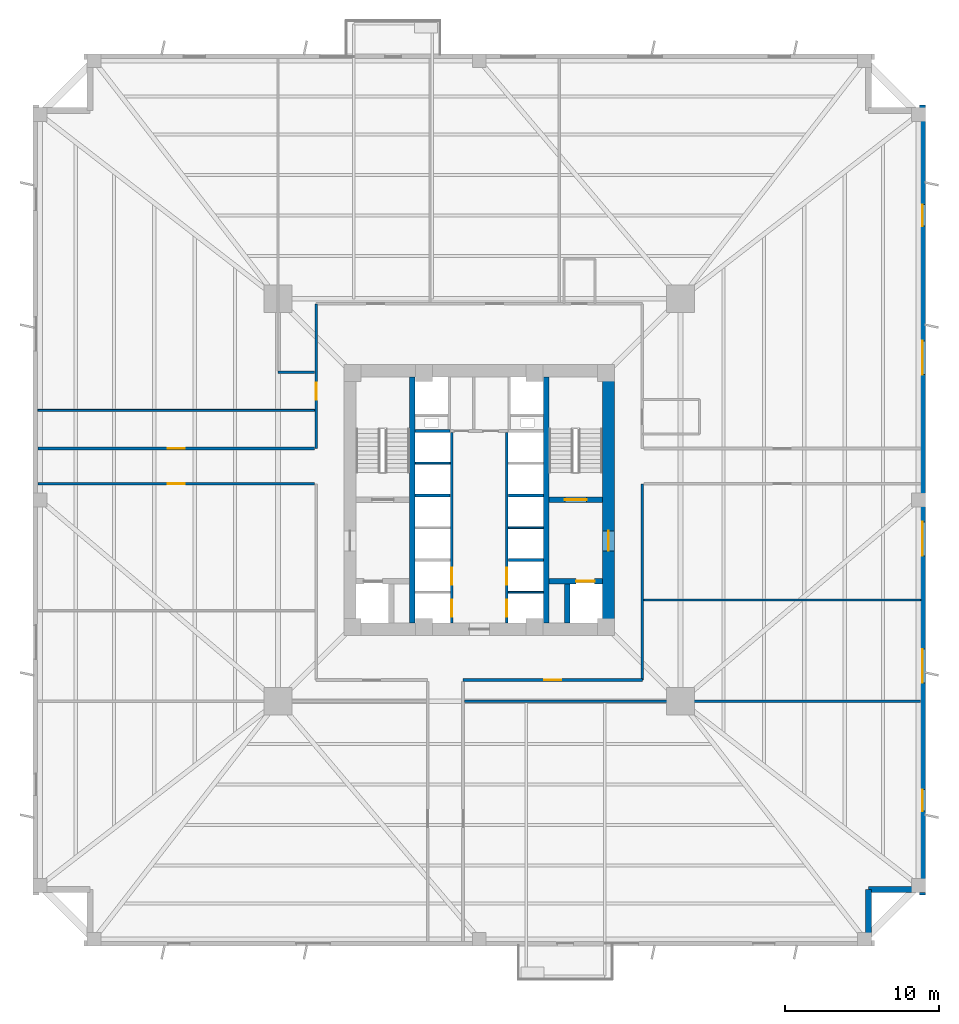
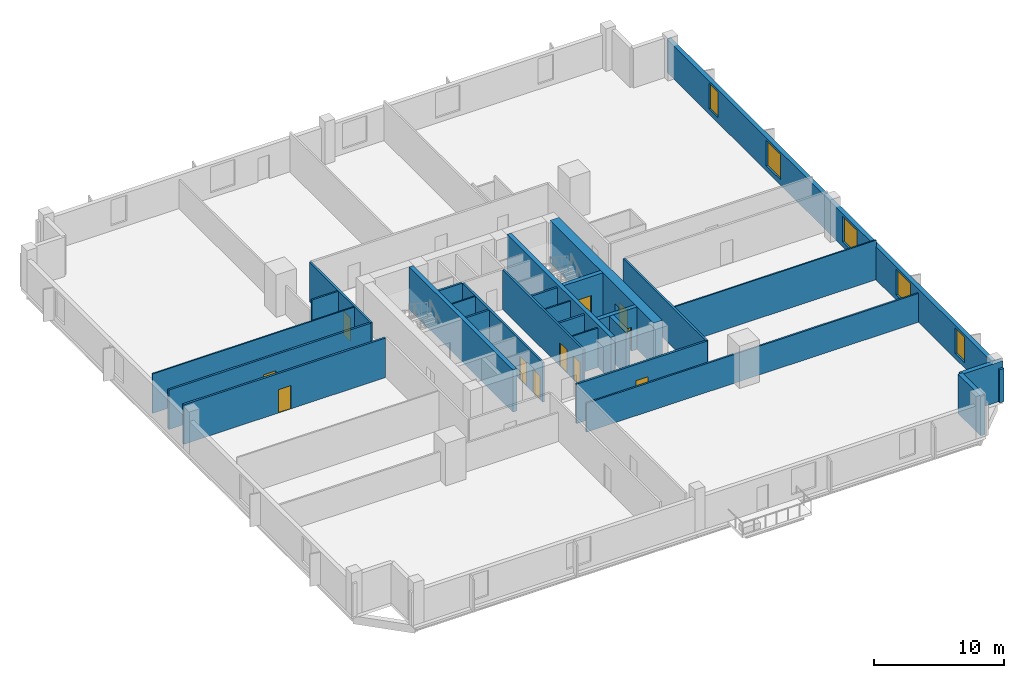
# One storey, part 3 of 8: 27 walls, 11 doors, 5 windows, 16 openings.
"""IFC4 building model written with IfcOpenShell, lengths in metres."""

from ifc_helpers import new_model, si_unit, direction, frame, frame_2d, origin, place, context, subcontext, project, spatial, rectangle, extrude, source, transform, mapped, material, layer, layer_set, type_object, element, fill, save


model = new_model("IFC4")

# Units and contexts
model_context = context("Model", 3, precision=1e-05, world=origin(), true_north=direction((0.0, 1.0)))
body_context = subcontext(model_context, "Body", "Model", "MODEL_VIEW")
ifc_project = project(units=[si_unit("LENGTHUNIT", "METRE"), si_unit("AREAUNIT", "SQUARE_METRE"), si_unit("VOLUMEUNIT", "CUBIC_METRE"), si_unit("PLANEANGLEUNIT", "RADIAN"), si_unit("MASSUNIT", "GRAM", prefix="KILO"), si_unit("THERMODYNAMICTEMPERATUREUNIT", "KELVIN")], contexts=[model_context])

# Site, building, storey
site_placement = place(None, origin())
site = spatial("IfcSite", under=ifc_project, at=site_placement, CompositionType="ELEMENT")
building_placement = place(site_placement, origin())
building = spatial("IfcBuilding", under=site, at=building_placement, Name="Kosmvard Interchange Tower", CompositionType="ELEMENT")
storey_placement = place(building_placement, frame((0.0, 0.0, 62.0)))
storey = spatial("IfcBuildingStorey", under=building, at=storey_placement, Name="L14", CompositionType="ELEMENT", Elevation=62.0)

# Walls
ifc_material_1 = material(Name="Acoustic gypsum partition system")
ifc_layer_1 = layer(ifc_material_1, 0.14990234375, Name="Acoustic gypsum partition system")
ifc_layer_set_1 = layer_set([ifc_layer_1], Name="Acoustic gypsum partition system")
wall_type_1 = type_object("IfcWallType", Name="Acoustic Suite & Meeting Partition 150", PredefinedType="PARTITIONING", material=ifc_layer_set_1)
wall_1_placement = place(storey_placement, frame((-10.695068359375, 8.300048828125, 0.0), z_axis=(0.0, 0.0, 1.0), x_axis=(-1.0, 0.0, 0.0)))
element("IfcWall", 1, at=wall_1_placement, inside=storey, type_object=wall_type_1, Name="L14 Room Partition 01.1", PredefinedType="PARTITIONING", context=body_context, shape_type="SweptSolid", body=[
    extrude(rectangle(XDim=2.385986328125, YDim=0.14990234375, at=frame_2d((1.19287109375, 0.0))), origin(), (0.0, 0.0, 1.0), 3.719970703125),
])
wall_2_placement = place(storey_placement, frame((-0.955078125, -13.0810546875, 0.0), z_axis=(0.0, 0.0, 1.0), x_axis=(1.0, 0.0, 0.0)))
element("IfcWall", 2, at=wall_2_placement, inside=storey, type_object=wall_type_1, Name="L14 Room Partition 06.1", PredefinedType="PARTITIONING", context=body_context, shape_type="SweptSolid", body=[
    extrude(rectangle(XDim=29.64013671875, YDim=0.14990234375, at=frame_2d((14.820068359375, 0.0))), origin(), (0.0, 0.0, 1.0), 2.7119140625),
])

# Wall, openings, doors
ifc_material_2 = material(Name="Fire-rated gypsum partition system")
ifc_layer_2 = layer(ifc_material_2, 0.179931640625, Name="Fire-rated gypsum partition system")
ifc_layer_set_2 = layer_set([ifc_layer_2], Name="Fire-rated gypsum partition system")
wall_type_2 = type_object("IfcWallType", Name="Corridor & Hotel Compartment Partition 180", PredefinedType="PARTITIONING", material=ifc_layer_set_2)
wall_3_placement = place(storey_placement, frame((-1.7900390625, -7.97998046875, 0.0), z_axis=(0.0, 0.0, 1.0), x_axis=(0.0, 1.0, 0.0)))
wall_3 = element("IfcWall", 3, at=wall_3_placement, inside=storey, type_object=wall_type_2, Name="L14 West Lift Bank Front Wall", PredefinedType="PARTITIONING", context=body_context, shape_type="SweptSolid", body=[
    extrude(rectangle(XDim=12.3798828125, YDim=0.179931640625, at=frame_2d((6.18994140625, 0.0))), origin(), (0.0, 0.0, 1.0), 3.719970703125),
])
opening_1_placement = place(wall_3_placement, frame((0.39990234375, 0.0, 0.0)))
opening_1 = element("IfcOpeningElement", 4, at=opening_1_placement, cuts=wall_3, Name="Opening LD-PL-L1-L14", PredefinedType="OPENING", context=body_context, shape_type="SweptSolid", body=[
    extrude(rectangle(XDim=1.10009765625, YDim=2.199951171875, at=frame_2d((0.550048828125, 1.10009765625))), frame((0.0, 0.10009765625, 0.0), z_axis=(0.0, -1.0, 0.0), x_axis=(1.0, 0.0, 0.0)), (0.0, 0.0, 1.0), 0.199951171875),
])
opening_2_placement = place(wall_3_placement, frame((2.4599609375, 0.0, 0.0)))
opening_2 = element("IfcOpeningElement", 5, at=opening_2_placement, cuts=wall_3, Name="Opening LD-PL-L2-L14", PredefinedType="OPENING", context=body_context, shape_type="SweptSolid", body=[
    extrude(rectangle(XDim=1.10009765625, YDim=2.199951171875, at=frame_2d((0.550048828125, 1.10009765625))), frame((0.0, 0.10009765625, 0.0), z_axis=(0.0, -1.0, 0.0), x_axis=(1.0, 0.0, 0.0)), (0.0, 0.0, 1.0), 0.199951171875),
])
ifc_material_3 = material(Name="Brushed stainless steel sliding leaf", Category="steel")
door_type_1 = type_object("IfcDoorType", Name="Passenger Lift Sliding Landing Door 1100x2200 EI60", OperationType="DOUBLE_DOOR_SLIDING", PredefinedType="DOOR", material=ifc_material_3)
shared_shape_1 = source(origin(), body_context, "Body", "SweptSolid", [
    extrude(rectangle(XDim=1.10009765625, YDim=2.199951171875, at=frame_2d((0.550048828125, 1.10009765625))), frame((0.0, 0.02490234375, 0.0), z_axis=(0.0, -1.0, 0.0), x_axis=(1.0, 0.0, 0.0)), (0.0, 0.0, 1.0), 0.050048828125),
])
door_1_placement = place(opening_1_placement, frame((1.10009765625, 0.0, 0.0), z_axis=(0.0, 0.0, 1.0), x_axis=(-1.0, 0.0, 0.0)))
door_1 = element("IfcDoor", 6, at=door_1_placement, inside=storey, type_object=door_type_1, Name="Lift PL-L1 Landing Door L14", OperationType="DOUBLE_DOOR_SLIDING", OverallHeight=2.199951171875, OverallWidth=1.10009765625, PredefinedType="DOOR", context=body_context, shape_type="MappedRepresentation", body=[
    mapped(shared_shape_1, transform((0.0, 0.0, 0.0), scale=1.0)),
])
fill(opening_1, door_1)
door_2_placement = place(opening_2_placement, frame((1.10009765625, 0.0, 0.0), z_axis=(0.0, 0.0, 1.0), x_axis=(-1.0, 0.0, 0.0)))
door_2 = element("IfcDoor", 7, at=door_2_placement, inside=storey, type_object=door_type_1, Name="Lift PL-L2 Landing Door L14", OperationType="DOUBLE_DOOR_SLIDING", OverallHeight=2.199951171875, OverallWidth=1.10009765625, PredefinedType="DOOR", context=body_context, shape_type="MappedRepresentation", body=[
    mapped(shared_shape_1, transform((0.0, 0.0, 0.0), scale=1.0)),
])
fill(opening_2, door_2)

wall_4_placement = place(storey_placement, frame((1.7900390625, -7.97998046875, 0.0), z_axis=(0.0, 0.0, 1.0), x_axis=(0.0, 1.0, 0.0)))
wall_4 = element("IfcWall", 8, at=wall_4_placement, inside=storey, type_object=wall_type_2, Name="L14 East Lift Bank Front Wall", PredefinedType="PARTITIONING", context=body_context, shape_type="SweptSolid", body=[
    extrude(rectangle(XDim=12.3798828125, YDim=0.179931640625, at=frame_2d((6.18994140625, 0.0))), origin(), (0.0, 0.0, 1.0), 3.719970703125),
])
opening_3_placement = place(wall_4_placement, frame((0.39990234375, 0.0, 0.0)))
opening_3 = element("IfcOpeningElement", 9, at=opening_3_placement, cuts=wall_4, Name="Opening LD-PL-L3-L14", PredefinedType="OPENING", context=body_context, shape_type="SweptSolid", body=[
    extrude(rectangle(XDim=1.10009765625, YDim=2.199951171875, at=frame_2d((0.550048828125, 1.10009765625))), frame((0.0, 0.10009765625, 0.0), z_axis=(0.0, -1.0, 0.0), x_axis=(1.0, 0.0, 0.0)), (0.0, 0.0, 1.0), 0.199951171875),
])
opening_4_placement = place(wall_4_placement, frame((2.4599609375, 0.0, 0.0)))
opening_4 = element("IfcOpeningElement", 10, at=opening_4_placement, cuts=wall_4, Name="Opening LD-PL-L4-L14", PredefinedType="OPENING", context=body_context, shape_type="SweptSolid", body=[
    extrude(rectangle(XDim=1.10009765625, YDim=2.199951171875, at=frame_2d((0.550048828125, 1.10009765625))), frame((0.0, 0.10009765625, 0.0), z_axis=(0.0, -1.0, 0.0), x_axis=(1.0, 0.0, 0.0)), (0.0, 0.0, 1.0), 0.199951171875),
])
door_3_placement = place(opening_3_placement, origin())
door_3 = element("IfcDoor", 11, at=door_3_placement, inside=storey, type_object=door_type_1, Name="Lift PL-L3 Landing Door L14", OperationType="DOUBLE_DOOR_SLIDING", OverallHeight=2.199951171875, OverallWidth=1.10009765625, PredefinedType="DOOR", context=body_context, shape_type="MappedRepresentation", body=[
    mapped(shared_shape_1, transform((0.0, 0.0, 0.0), scale=1.0)),
])
fill(opening_3, door_3)
door_4_placement = place(opening_4_placement, origin())
door_4 = element("IfcDoor", 12, at=door_4_placement, inside=storey, type_object=door_type_1, Name="Lift PL-L4 Landing Door L14", OperationType="DOUBLE_DOOR_SLIDING", OverallHeight=2.199951171875, OverallWidth=1.10009765625, PredefinedType="DOOR", context=body_context, shape_type="MappedRepresentation", body=[
    mapped(shared_shape_1, transform((0.0, 0.0, 0.0), scale=1.0)),
])
fill(opening_4, door_4)

# Wall, opening, door
wall_5_placement = place(storey_placement, frame((-1.050048828125, -11.699951171875, 0.0), z_axis=(0.0, 0.0, 1.0), x_axis=(1.0, 0.0, 0.0)))
wall_5 = element("IfcWall", 13, at=wall_5_placement, inside=storey, type_object=wall_type_2, Name="L14 Corridor Wall CSE", PredefinedType="PARTITIONING", context=body_context, shape_type="SweptSolid", body=[
    extrude(rectangle(XDim=11.650146484375, YDim=0.179931640625, at=frame_2d((5.8251953125, 0.0))), origin(), (0.0, 0.0, 1.0), 3.719970703125),
])
opening_5_placement = place(wall_5_placement, frame((5.27490234375, 0.0, 0.0)))
opening_5 = element("IfcOpeningElement", 14, at=opening_5_placement, cuts=wall_5, Name="Opening L14-D09", PredefinedType="OPENING", context=body_context, shape_type="SweptSolid", body=[
    extrude(rectangle(XDim=1.10009765625, YDim=2.199951171875, at=frame_2d((0.550048828125, 1.10009765625))), frame((0.0, 0.10009765625, 0.0), z_axis=(0.0, -1.0, 0.0), x_axis=(1.0, 0.0, 0.0)), (0.0, 0.0, 1.0), 0.199951171875),
])
ifc_material_4 = material(Name="Engineered oak fire-rated timber", Category="wood")
door_type_2 = type_object("IfcDoorType", Name="Office Suite Entrance Door 1100x2200 FD30S", OperationType="NOTDEFINED", PredefinedType="DOOR", material=ifc_material_4)
door_5_placement = place(opening_5_placement, frame((1.10009765625, 0.0, 0.0), z_axis=(0.0, 0.0, 1.0), x_axis=(-1.0, 0.0, 0.0)))
door_5 = element("IfcDoor", 15, at=door_5_placement, inside=storey, type_object=door_type_2, Name="L14 East Partner Office 2 Door", OperationType="SINGLE_SWING_LEFT", OverallHeight=2.199951171875, OverallWidth=1.10009765625, PredefinedType="DOOR", context=body_context, shape_type="MappedRepresentation", body=[
    mapped(shared_shape_1, transform((0.0, 0.0, 0.0), scale=1.0)),
])
fill(opening_5, door_5)

wall_6_placement = place(storey_placement, frame((-10.60009765625, 3.35009765625, 0.0), z_axis=(0.0, 0.0, 1.0), x_axis=(0.0, 1.0, 0.0)))
wall_6 = element("IfcWall", 16, at=wall_6_placement, inside=storey, type_object=wall_type_2, Name="L14 Corridor Wall CWN", PredefinedType="PARTITIONING", context=body_context, shape_type="SweptSolid", body=[
    extrude(rectangle(XDim=9.39990234375, YDim=0.179931640625, at=frame_2d((4.699951171875, 0.0))), origin(), (0.0, 0.0, 1.0), 3.719970703125),
])
opening_6_placement = place(wall_6_placement, frame((3.16259765625, 0.0, 0.0)))
opening_6 = element("IfcOpeningElement", 17, at=opening_6_placement, cuts=wall_6, Name="Opening L14-D04", PredefinedType="OPENING", context=body_context, shape_type="SweptSolid", body=[
    extrude(rectangle(XDim=1.10009765625, YDim=2.199951171875, at=frame_2d((0.550048828125, 1.10009765625))), frame((0.0, 0.10009765625, 0.0), z_axis=(0.0, -1.0, 0.0), x_axis=(1.0, 0.0, 0.0)), (0.0, 0.0, 1.0), 0.199951171875),
])
door_6_placement = place(opening_6_placement, origin())
door_6 = element("IfcDoor", 18, at=door_6_placement, inside=storey, type_object=door_type_2, Name="L14 Print and Copy Store Door", OperationType="SINGLE_SWING_RIGHT", OverallHeight=2.199951171875, OverallWidth=1.10009765625, PredefinedType="DOOR", context=body_context, shape_type="MappedRepresentation", body=[
    mapped(shared_shape_1, transform((0.0, 0.0, 0.0), scale=1.0)),
])
fill(opening_6, door_6)

# Wall
wall_7_placement = place(storey_placement, frame((10.60009765625, -11.699951171875, 0.0), z_axis=(0.0, 0.0, 1.0), x_axis=(0.0, 1.0, 0.0)))
element("IfcWall", 19, at=wall_7_placement, inside=storey, type_object=wall_type_2, Name="L14 Corridor Wall CES", PredefinedType="PARTITIONING", context=body_context, shape_type="SweptSolid", body=[
    extrude(rectangle(XDim=12.75, YDim=0.179931640625, at=frame_2d((6.375, 0.0))), origin(), (0.0, 0.0, 1.0), 3.719970703125),
])

# Wall, opening, door
wall_8_placement = place(storey_placement, frame((-28.68505859375, 1.050048828125, 0.0), z_axis=(0.0, 0.0, 1.0), x_axis=(1.0, 0.0, 0.0)))
wall_8 = element("IfcWall", 20, at=wall_8_placement, inside=storey, type_object=wall_type_2, Name="L14 Corridor Wall SWS", PredefinedType="PARTITIONING", context=body_context, shape_type="SweptSolid", body=[
    extrude(rectangle(XDim=17.985107421875, YDim=0.179931640625, at=frame_2d((8.99267578125, 0.0))), origin(), (0.0, 0.0, 1.0), 3.719970703125),
])
opening_7_placement = place(wall_8_placement, frame((8.4423828125, 0.0, 0.0)))
opening_7 = element("IfcOpeningElement", 21, at=opening_7_placement, cuts=wall_8, Name="Opening L14-D11", PredefinedType="OPENING", context=body_context, shape_type="SweptSolid", body=[
    extrude(rectangle(XDim=1.10009765625, YDim=2.199951171875, at=frame_2d((0.550048828125, 1.10009765625))), frame((0.0, 0.10009765625, 0.0), z_axis=(0.0, -1.0, 0.0), x_axis=(1.0, 0.0, 0.0)), (0.0, 0.0, 1.0), 0.199951171875),
])
door_7_placement = place(opening_7_placement, frame((1.10009765625, 0.0, 0.0), z_axis=(0.0, 0.0, 1.0), x_axis=(-1.0, 0.0, 0.0)))
door_7 = element("IfcDoor", 22, at=door_7_placement, inside=storey, type_object=door_type_2, Name="L14 Communal Servery Kitchen Door", OperationType="SINGLE_SWING_LEFT", OverallHeight=2.199951171875, OverallWidth=1.10009765625, PredefinedType="DOOR", context=body_context, shape_type="MappedRepresentation", body=[
    mapped(shared_shape_1, transform((0.0, 0.0, 0.0), scale=1.0)),
])
fill(opening_7, door_7)

wall_9_placement = place(storey_placement, frame((-28.68505859375, 3.35009765625, 0.0), z_axis=(0.0, 0.0, 1.0), x_axis=(1.0, 0.0, 0.0)))
wall_9 = element("IfcWall", 23, at=wall_9_placement, inside=storey, type_object=wall_type_2, Name="L14 Corridor Wall SWN", PredefinedType="PARTITIONING", context=body_context, shape_type="SweptSolid", body=[
    extrude(rectangle(XDim=17.985107421875, YDim=0.179931640625, at=frame_2d((8.99267578125, 0.0))), origin(), (0.0, 0.0, 1.0), 3.719970703125),
])
opening_8_placement = place(wall_9_placement, frame((8.4423828125, 0.0, 0.0)))
opening_8 = element("IfcOpeningElement", 24, at=opening_8_placement, cuts=wall_9, Name="Opening L14-D03", PredefinedType="OPENING", context=body_context, shape_type="SweptSolid", body=[
    extrude(rectangle(XDim=1.10009765625, YDim=2.199951171875, at=frame_2d((0.550048828125, 1.10009765625))), frame((0.0, 0.10009765625, 0.0), z_axis=(0.0, -1.0, 0.0), x_axis=(1.0, 0.0, 0.0)), (0.0, 0.0, 1.0), 0.199951171875),
])
door_8_placement = place(opening_8_placement, origin())
door_8 = element("IfcDoor", 25, at=door_8_placement, inside=storey, type_object=door_type_2, Name="L14 Tenant Archive Store Door", OperationType="SINGLE_SWING_LEFT", OverallHeight=2.199951171875, OverallWidth=1.10009765625, PredefinedType="DOOR", context=body_context, shape_type="MappedRepresentation", body=[
    mapped(shared_shape_1, transform((0.0, 0.0, 0.0), scale=1.0)),
])
fill(opening_8, door_8)

ifc_material_5 = material(Name="Concrete C80/95", Category="concrete")
ifc_layer_3 = layer(ifc_material_5, 0.800048828125, Name="Concrete C80/95")
ifc_layer_set_3 = layer_set([ifc_layer_3], Name="Concrete C80/95")
wall_type_3 = type_object("IfcWallType", Name="Lower Core Shear Wall 800 C80/95", PredefinedType="SHEAR", material=ifc_layer_set_3)
wall_10_placement = place(storey_placement, frame((8.39990234375, -8.0, 0.0), z_axis=(0.0, 0.0, 1.0), x_axis=(0.0, 1.0, 0.0)))
wall_10 = element("IfcWall", 26, at=wall_10_placement, inside=storey, type_object=wall_type_3, Name="L14 Core Shear Wall CW-E", PredefinedType="SHEAR", context=body_context, shape_type="SweptSolid", body=[
    extrude(rectangle(XDim=16.0, YDim=0.800048828125, at=frame_2d((8.0, 0.0))), origin(), (0.0, 0.0, 1.0), 4.0),
])
opening_9_placement = place(wall_10_placement, frame((4.68994140625, 0.0, 0.0)))
opening_9 = element("IfcOpeningElement", 27, at=opening_9_placement, cuts=wall_10, Name="Opening L14-FD2", PredefinedType="OPENING", context=body_context, shape_type="SweptSolid", body=[
    extrude(rectangle(XDim=1.300048828125, YDim=2.199951171875, at=frame_2d((0.64990234375, 1.10009765625))), frame((0.0, 0.41015625, 0.0), z_axis=(0.0, -1.0, 0.0), x_axis=(1.0, 0.0, 0.0)), (0.0, 0.0, 1.0), 0.820068359375),
])
ifc_material_6 = material(Name="Painted fire-rated steel leaf", Category="steel")
door_type_3 = type_object("IfcDoorType", Name="Firefighting Lobby Door 1300x2200 EI60", OperationType="NOTDEFINED", PredefinedType="DOOR", material=ifc_material_6)
shared_shape_2 = source(origin(), body_context, "Body", "SweptSolid", [
    extrude(rectangle(XDim=1.300048828125, YDim=2.199951171875, at=frame_2d((0.64990234375, 1.10009765625))), frame((0.0, 0.02490234375, 0.0), z_axis=(0.0, -1.0, 0.0), x_axis=(1.0, 0.0, 0.0)), (0.0, 0.0, 1.0), 0.050048828125),
])
door_9_placement = place(opening_9_placement, origin())
door_9 = element("IfcDoor", 28, at=door_9_placement, inside=storey, type_object=door_type_3, Name="L14 Firefighting Lobby East Door", OperationType="SINGLE_SWING_RIGHT", OverallHeight=2.199951171875, OverallWidth=1.300048828125, PredefinedType="DOOR", context=body_context, shape_type="MappedRepresentation", body=[
    mapped(shared_shape_2, transform((0.0, 0.0, 0.0), scale=1.0)),
])
fill(opening_9, door_9)

# Walls
ifc_material_7 = material(Name="Precast concrete C45/55", Category="concrete")
ifc_layer_4 = layer(ifc_material_7, 0.3798828125, Name="Precast concrete C45/55")
ifc_layer_set_4 = layer_set([ifc_layer_4], Name="Precast concrete C45/55")
wall_type_4 = type_object("IfcWallType", Name="Lower Tower Precast Pier Wall 380 C45/55", PredefinedType="STANDARD", material=ifc_layer_set_4)
wall_11_placement = place(storey_placement, frame((25.31005859375, -28.81005859375, 0.0), z_axis=(0.0, 0.0, 1.0), x_axis=(0.0, 1.0, 0.0)))
element("IfcWall", 29, at=wall_11_placement, inside=storey, type_object=wall_type_4, Name="L14 Precast Facade Wall N-SE1", PredefinedType="STANDARD", context=body_context, shape_type="SweptSolid", body=[
    extrude(rectangle(XDim=3.5, YDim=0.3798828125, at=frame_2d((1.75, 0.0))), origin(), (0.0, 0.0, 1.0), 3.719970703125),
])
wall_12_placement = place(storey_placement, frame((25.31005859375, -25.31005859375, 0.0), z_axis=(0.0, 0.0, 1.0), x_axis=(1.0, 0.0, 0.0)))
element("IfcWall", 30, at=wall_12_placement, inside=storey, type_object=wall_type_4, Name="L14 Precast Facade Wall N-SE2", PredefinedType="STANDARD", context=body_context, shape_type="SweptSolid", body=[
    extrude(rectangle(XDim=3.68994140625, YDim=0.3798828125, at=frame_2d((1.844970703125, 0.0))), origin(), (0.0, 0.0, 1.0), 3.719970703125),
])

# Wall, openings, windows
wall_13_placement = place(storey_placement, frame((28.81005859375, -25.68994140625, 0.0), z_axis=(0.0, 0.0, 1.0), x_axis=(0.0, 1.0, 0.0)))
wall_13 = element("IfcWall", 31, at=wall_13_placement, inside=storey, type_object=wall_type_4, Name="L14 Precast Facade Wall F-E", PredefinedType="STANDARD", context=body_context, shape_type="SweptSolid", body=[
    extrude(rectangle(XDim=51.3798828125, YDim=0.3798828125, at=frame_2d((25.68994140625, 0.0))), origin(), (0.0, 0.0, 1.0), 3.1201171875),
])
opening_10_placement = place(wall_13_placement, frame((5.465576171875, 0.0, 0.489990234375)))
opening_10 = element("IfcOpeningElement", 32, at=opening_10_placement, cuts=wall_13, Name="Opening L14-W05", PredefinedType="OPENING", context=body_context, shape_type="SweptSolid", body=[
    extrude(rectangle(XDim=1.39990234375, YDim=2.39990234375, at=frame_2d((0.699951171875, 1.199951171875))), frame((0.0, 0.199951171875, 0.0), z_axis=(0.0, -1.0, 0.0), x_axis=(1.0, 0.0, 0.0)), (0.0, 0.0, 1.0), 0.39990234375),
])
opening_11_placement = place(wall_13_placement, frame((13.80029296875, 0.0, 0.489990234375)))
opening_11 = element("IfcOpeningElement", 33, at=opening_11_placement, cuts=wall_13, Name="Opening L14-W06", PredefinedType="OPENING", context=body_context, shape_type="SweptSolid", body=[
    extrude(rectangle(XDim=2.199951171875, YDim=2.39990234375, at=frame_2d((1.10009765625, 1.199951171875))), frame((0.0, 0.199951171875, 0.0), z_axis=(0.0, -1.0, 0.0), x_axis=(1.0, 0.0, 0.0)), (0.0, 0.0, 1.0), 0.39990234375),
])
opening_12_placement = place(wall_13_placement, frame((22.0625, 0.0, 0.489990234375)))
opening_12 = element("IfcOpeningElement", 34, at=opening_12_placement, cuts=wall_13, Name="Opening L14-W07", PredefinedType="OPENING", context=body_context, shape_type="SweptSolid", body=[
    extrude(rectangle(XDim=2.199951171875, YDim=2.39990234375, at=frame_2d((1.10009765625, 1.199951171875))), frame((0.0, 0.199951171875, 0.0), z_axis=(0.0, -1.0, 0.0), x_axis=(1.0, 0.0, 0.0)), (0.0, 0.0, 1.0), 0.39990234375),
])
opening_13_placement = place(wall_13_placement, frame((33.83837890625, 0.0, 0.489990234375)))
opening_13 = element("IfcOpeningElement", 35, at=opening_13_placement, cuts=wall_13, Name="Opening L14-W08", PredefinedType="OPENING", context=body_context, shape_type="SweptSolid", body=[
    extrude(rectangle(XDim=2.199951171875, YDim=2.39990234375, at=frame_2d((1.10009765625, 1.199951171875))), frame((0.0, 0.199951171875, 0.0), z_axis=(0.0, -1.0, 0.0), x_axis=(1.0, 0.0, 0.0)), (0.0, 0.0, 1.0), 0.39990234375),
])
opening_14_placement = place(wall_13_placement, frame((43.48681640625, 0.0, 0.489990234375)))
opening_14 = element("IfcOpeningElement", 36, at=opening_14_placement, cuts=wall_13, Name="Opening L14-W09", PredefinedType="OPENING", context=body_context, shape_type="SweptSolid", body=[
    extrude(rectangle(XDim=1.39990234375, YDim=2.39990234375, at=frame_2d((0.699951171875, 1.199951171875))), frame((0.0, 0.199951171875, 0.0), z_axis=(0.0, -1.0, 0.0), x_axis=(1.0, 0.0, 0.0)), (0.0, 0.0, 1.0), 0.39990234375),
])
ifc_material_8 = material(Name="Low-E solar-control double glazing", Category="glass")
window_type_1 = type_object("IfcWindowType", Name="Notched Corner Feature Window 1400x2400", PartitioningType="SINGLE_PANEL", PredefinedType="WINDOW", material=ifc_material_8)
shared_shape_3 = source(origin(), body_context, "Body", "SweptSolid", [
    extrude(rectangle(XDim=1.39990234375, YDim=2.39990234375, at=frame_2d((0.699951171875, 1.199951171875))), frame((0.0, 0.030029296875, 0.0), z_axis=(0.0, -1.0, 0.0), x_axis=(1.0, 0.0, 0.0)), (0.0, 0.0, 1.0), 0.06005859375),
])
window_1_placement = place(opening_10_placement, origin())
window_1 = element("IfcWindow", 37, at=window_1_placement, inside=storey, type_object=window_type_1, Name="L14 Facade Punched Window 05", OverallHeight=2.39990234375, OverallWidth=1.39990234375, PartitioningType="SINGLE_PANEL", PredefinedType="WINDOW", context=body_context, shape_type="MappedRepresentation", body=[
    mapped(shared_shape_3, transform((0.0, 0.0, 0.0), scale=1.0)),
])
fill(opening_10, window_1)
window_2_placement = place(opening_14_placement, origin())
window_2 = element("IfcWindow", 38, at=window_2_placement, inside=storey, type_object=window_type_1, Name="L14 Facade Punched Window 09", OverallHeight=2.39990234375, OverallWidth=1.39990234375, PartitioningType="SINGLE_PANEL", PredefinedType="WINDOW", context=body_context, shape_type="MappedRepresentation", body=[
    mapped(shared_shape_3, transform((0.0, 0.0, 0.0), scale=1.0)),
])
fill(opening_14, window_2)
window_type_2 = type_object("IfcWindowType", Name="Zone 1 Office Punched Window 2200x2400", PartitioningType="SINGLE_PANEL", PredefinedType="WINDOW", material=ifc_material_8)
shared_shape_4 = source(origin(), body_context, "Body", "SweptSolid", [
    extrude(rectangle(XDim=2.199951171875, YDim=2.39990234375, at=frame_2d((1.10009765625, 1.199951171875))), frame((0.0, 0.030029296875, 0.0), z_axis=(0.0, -1.0, 0.0), x_axis=(1.0, 0.0, 0.0)), (0.0, 0.0, 1.0), 0.06005859375),
])
window_3_placement = place(opening_11_placement, origin())
window_3 = element("IfcWindow", 39, at=window_3_placement, inside=storey, type_object=window_type_2, Name="L14 Facade Punched Window 06", OverallHeight=2.39990234375, OverallWidth=2.199951171875, PartitioningType="SINGLE_PANEL", PredefinedType="WINDOW", context=body_context, shape_type="MappedRepresentation", body=[
    mapped(shared_shape_4, transform((0.0, 0.0, 0.0), scale=1.0)),
])
fill(opening_11, window_3)
window_4_placement = place(opening_12_placement, origin())
window_4 = element("IfcWindow", 40, at=window_4_placement, inside=storey, type_object=window_type_2, Name="L14 Facade Punched Window 07", OverallHeight=2.39990234375, OverallWidth=2.199951171875, PartitioningType="SINGLE_PANEL", PredefinedType="WINDOW", context=body_context, shape_type="MappedRepresentation", body=[
    mapped(shared_shape_4, transform((0.0, 0.0, 0.0), scale=1.0)),
])
fill(opening_12, window_4)
window_5_placement = place(opening_13_placement, origin())
window_5 = element("IfcWindow", 41, at=window_5_placement, inside=storey, type_object=window_type_2, Name="L14 Facade Punched Window 08", OverallHeight=2.39990234375, OverallWidth=2.199951171875, PartitioningType="SINGLE_PANEL", PredefinedType="WINDOW", context=body_context, shape_type="MappedRepresentation", body=[
    mapped(shared_shape_4, transform((0.0, 0.0, 0.0), scale=1.0)),
])
fill(opening_13, window_5)

# Walls
ifc_material_9 = material(Name="Gypsum board partition system")
ifc_layer_5 = layer(ifc_material_9, 0.1201171875, Name="Gypsum board partition system")
ifc_layer_set_5 = layer_set([ifc_layer_5], Name="Gypsum board partition system")
wall_type_5 = type_object("IfcWallType", Name="Office Cellular Partition 120", PredefinedType="PARTITIONING", material=ifc_layer_set_5)
for number, where, z_axis, x_axis, name in (
    (42, (-28.68505859375, 5.824951171875, 0.0), (0.0, 0.0, 1.0), (1.0, 0.0, 0.0), "L14 Room Partition 05.1"),
    (43, (10.695068359375, -6.5, 0.0), (0.0, 0.0, 1.0), (1.0, 0.0, 0.0), "L14 Room Partition 07.1"),
):
    element("IfcWall", number, at=place(storey_placement, frame(where, z_axis=z_axis, x_axis=x_axis)), inside=storey, type_object=wall_type_5, Name=name, PredefinedType="PARTITIONING", context=body_context, shape_type="SweptSolid", body=[
        extrude(rectangle(XDim=17.989990234375, YDim=0.1201171875, at=frame_2d((8.9951171875, 0.0))), origin(), (0.0, 0.0, 1.0), 3.719970703125),
    ])
ifc_material_10 = material(Name="Concrete blockwork masonry", Category="masonry")
ifc_layer_6 = layer(ifc_material_10, 0.179931640625, Name="Concrete blockwork masonry")
ifc_layer_set_6 = layer_set([ifc_layer_6], Name="Concrete blockwork masonry")
wall_type_6 = type_object("IfcWallType", Name="Riser & Lift Bank Divider Wall 180", PredefinedType="PARTITIONING", material=ifc_layer_set_6)
for number, where, z_axis, x_axis, name in (
    (44, (1.889892578125, -3.89990234375, 0.0), (0.0, 0.0, 1.0), (1.0, 0.0, 0.0), "L14 East Bank Divider BD1"),
    (45, (-4.169921875, 0.300048828125, 0.0), (0.0, 0.0, 1.0), (1.0, 0.0, 0.0), "L14 West Bank Divider BD2"),
    (46, (1.889892578125, 0.300048828125, 0.0), (0.0, 0.0, 1.0), (1.0, 0.0, 0.0), "L14 East Bank Divider BD2"),
    (47, (-4.169921875, 4.489990234375, 0.0), (0.0, 0.0, 1.0), (1.0, 0.0, 0.0), "L14 West Bank Divider BD3"),
):
    element("IfcWall", number, at=place(storey_placement, frame(where, z_axis=z_axis, x_axis=x_axis)), inside=storey, type_object=wall_type_6, Name=name, PredefinedType="PARTITIONING", context=body_context, shape_type="SweptSolid", body=[
        extrude(rectangle(XDim=2.280029296875, YDim=0.179931640625, at=frame_2d((1.14013671875, 0.0))), origin(), (0.0, 0.0, 1.0), 3.719970703125),
    ])
ifc_material_11 = material(Name="Fire-rated gypsum shaftwall system")
ifc_layer_7 = layer(ifc_material_11, 0.1201171875, Name="Fire-rated gypsum shaftwall system")
ifc_layer_set_7 = layer_set([ifc_layer_7], Name="Fire-rated gypsum shaftwall system")
wall_type_7 = type_object("IfcWallType", Name="Shaft & Riser Fire Partition 120 EI60", PredefinedType="PARTITIONING", material=ifc_layer_set_7)
for number, where, z_axis, x_axis, name in (
    (48, (1.89990234375, -6.0, 0.0), (0.0, 0.0, 1.0), (1.0, 0.0, 0.0), "L14 Shaft Divider PL-L3"),
    (49, (1.89990234375, -1.800048828125, 0.0), (0.0, 0.0, 1.0), (1.0, 0.0, 0.0), "L14 Shaft Divider PL-M3"),
    (50, (-4.159912109375, 2.39990234375, 0.0), (0.0, 0.0, 1.0), (1.0, 0.0, 0.0), "L14 Shaft Divider PL-H1"),
):
    element("IfcWall", number, at=place(storey_placement, frame(where, z_axis=z_axis, x_axis=x_axis)), inside=storey, type_object=wall_type_7, Name=name, PredefinedType="PARTITIONING", context=body_context, shape_type="SweptSolid", body=[
        extrude(rectangle(XDim=2.260009765625, YDim=0.1201171875, at=frame_2d((1.1298828125, 0.0))), origin(), (0.0, 0.0, 1.0), 3.719970703125),
    ])
ifc_material_12 = material(Name="Concrete C60/75", Category="concrete")
ifc_layer_8 = layer(ifc_material_12, 0.360107421875, Name="Concrete C60/75")
ifc_layer_set_8 = layer_set([ifc_layer_8], Name="Concrete C60/75")
wall_type_8 = type_object("IfcWallType", Name="Stair & Lift Shaft Shear Wall 360 C60/75", PredefinedType="SHEAR", material=ifc_layer_set_8)
for number, where, z_axis, x_axis, name in (
    (51, (-4.360107421875, -8.0, 0.0), (0.0, 0.0, 1.0), (0.0, 1.0, 0.0), "L14 Shaft Shear Wall SW-W"),
    (52, (4.360107421875, -8.0, 0.0), (0.0, 0.0, 1.0), (0.0, 1.0, 0.0), "L14 Shaft Shear Wall SW-E"),
):
    element("IfcWall", number, at=place(storey_placement, frame(where, z_axis=z_axis, x_axis=x_axis)), inside=storey, type_object=wall_type_8, Name=name, PredefinedType="SHEAR", context=body_context, shape_type="SweptSolid", body=[
        extrude(rectangle(XDim=16.0, YDim=0.360107421875, at=frame_2d((8.0, 0.0))), origin(), (0.0, 0.0, 1.0), 4.0),
    ])

# Wall, opening, door
wall_14_placement = place(storey_placement, frame((4.5400390625, 0.02001953125, 0.0), z_axis=(0.0, 0.0, 1.0), x_axis=(1.0, 0.0, 0.0)))
wall_14 = element("IfcWall", 53, at=wall_14_placement, inside=storey, type_object=wall_type_8, Name="L14 Shaft Shear Wall SW-ST2", PredefinedType="SHEAR", context=body_context, shape_type="SweptSolid", body=[
    extrude(rectangle(XDim=3.4599609375, YDim=0.360107421875, at=frame_2d((1.72998046875, 0.0))), origin(), (0.0, 0.0, 1.0), 4.0),
])
opening_15_placement = place(wall_14_placement, frame((1.030029296875, 0.0, 0.0)))
opening_15 = element("IfcOpeningElement", 54, at=opening_15_placement, cuts=wall_14, Name="Opening L14-SD2", PredefinedType="OPENING", context=body_context, shape_type="SweptSolid", body=[
    extrude(rectangle(XDim=1.39990234375, YDim=2.199951171875, at=frame_2d((0.699951171875, 1.10009765625))), frame((0.0, 0.18994140625, 0.0), z_axis=(0.0, -1.0, 0.0), x_axis=(1.0, 0.0, 0.0)), (0.0, 0.0, 1.0), 0.380126953125),
])
door_type_4 = type_object("IfcDoorType", Name="Protected Stair Door 1400x2200 FD60S", OperationType="NOTDEFINED", PredefinedType="DOOR", material=ifc_material_6)
shared_shape_5 = source(origin(), body_context, "Body", "SweptSolid", [
    extrude(rectangle(XDim=1.39990234375, YDim=2.199951171875, at=frame_2d((0.699951171875, 1.10009765625))), frame((0.0, 0.02490234375, 0.0), z_axis=(0.0, -1.0, 0.0), x_axis=(1.0, 0.0, 0.0)), (0.0, 0.0, 1.0), 0.050048828125),
])
door_10_placement = place(opening_15_placement, origin())
door_10 = element("IfcDoor", 55, at=door_10_placement, inside=storey, type_object=door_type_4, Name="L14 Stair ST-2 Enclosure Door", OperationType="SINGLE_SWING_RIGHT", OverallHeight=2.199951171875, OverallWidth=1.39990234375, PredefinedType="DOOR", context=body_context, shape_type="MappedRepresentation", body=[
    mapped(shared_shape_5, transform((0.0, 0.0, 0.0), scale=1.0)),
])
fill(opening_15, door_10)

wall_15_placement = place(storey_placement, frame((4.5400390625, -5.280029296875, 0.0), z_axis=(0.0, 0.0, 1.0), x_axis=(1.0, 0.0, 0.0)))
wall_15 = element("IfcWall", 56, at=wall_15_placement, inside=storey, type_object=wall_type_8, Name="L14 Shaft Shear Wall SW-FF2", PredefinedType="SHEAR", context=body_context, shape_type="SweptSolid", body=[
    extrude(rectangle(XDim=3.4599609375, YDim=0.360107421875, at=frame_2d((1.72998046875, 0.0))), origin(), (0.0, 0.0, 1.0), 4.0),
])
opening_16_placement = place(wall_15_placement, frame((1.760009765625, 0.0, 0.0)))
opening_16 = element("IfcOpeningElement", 57, at=opening_16_placement, cuts=wall_15, Name="Opening LD-FF-2-L14", PredefinedType="OPENING", context=body_context, shape_type="SweptSolid", body=[
    extrude(rectangle(XDim=1.199951171875, YDim=2.25, at=frame_2d((0.60009765625, 1.125))), frame((0.0, 0.18994140625, 0.0), z_axis=(0.0, -1.0, 0.0), x_axis=(1.0, 0.0, 0.0)), (0.0, 0.0, 1.0), 0.380126953125),
])
door_type_5 = type_object("IfcDoorType", Name="Firefighting Lift Sliding Landing Door 1200x2250 EI120", OperationType="DOUBLE_DOOR_SLIDING", PredefinedType="DOOR", material=ifc_material_3)
shared_shape_6 = source(origin(), body_context, "Body", "SweptSolid", [
    extrude(rectangle(XDim=1.199951171875, YDim=2.25, at=frame_2d((0.60009765625, 1.125))), frame((0.0, 0.02490234375, 0.0), z_axis=(0.0, -1.0, 0.0), x_axis=(1.0, 0.0, 0.0)), (0.0, 0.0, 1.0), 0.050048828125),
])
door_11_placement = place(opening_16_placement, origin())
door_11 = element("IfcDoor", 58, at=door_11_placement, inside=storey, type_object=door_type_5, Name="Lift FF-2 Landing Door L14", OperationType="DOUBLE_DOOR_SLIDING", OverallHeight=2.25, OverallWidth=1.199951171875, PredefinedType="DOOR", context=body_context, shape_type="MappedRepresentation", body=[
    mapped(shared_shape_6, transform((0.0, 0.0, 0.0), scale=1.0)),
])
fill(opening_16, door_11)

# Wall
wall_16_placement = place(storey_placement, frame((5.7099609375, -8.0, 0.0), z_axis=(0.0, 0.0, 1.0), x_axis=(0.0, 1.0, 0.0)))
element("IfcWall", 59, at=wall_16_placement, inside=storey, type_object=wall_type_8, Name="L14 Shaft Shear Wall SW-SM2", PredefinedType="SHEAR", context=body_context, shape_type="SweptSolid", body=[
    extrude(rectangle(XDim=2.5400390625, YDim=0.360107421875, at=frame_2d((1.27001953125, 0.0))), origin(), (0.0, 0.0, 1.0), 4.0),
])

save(model, "model.ifc")
